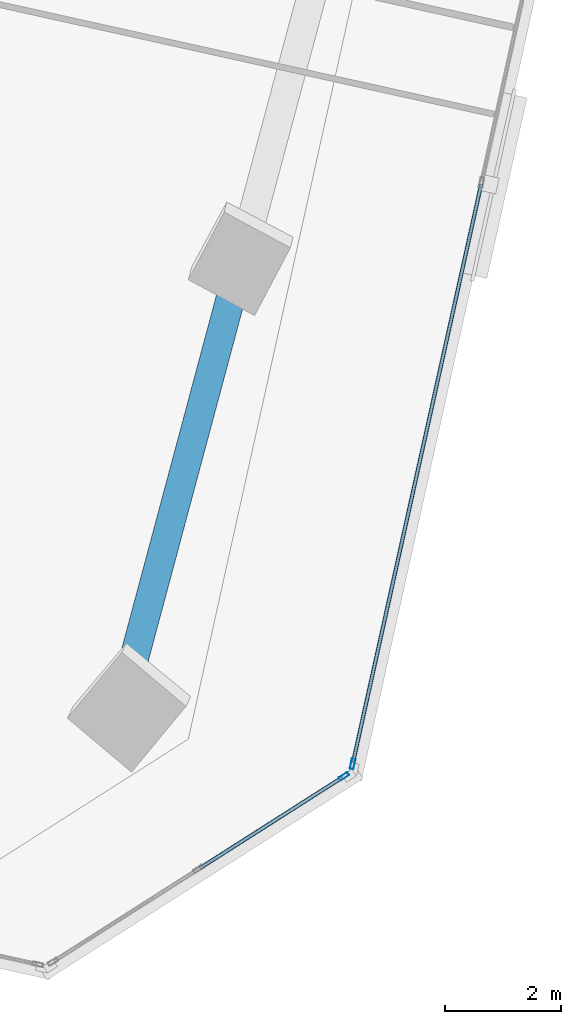
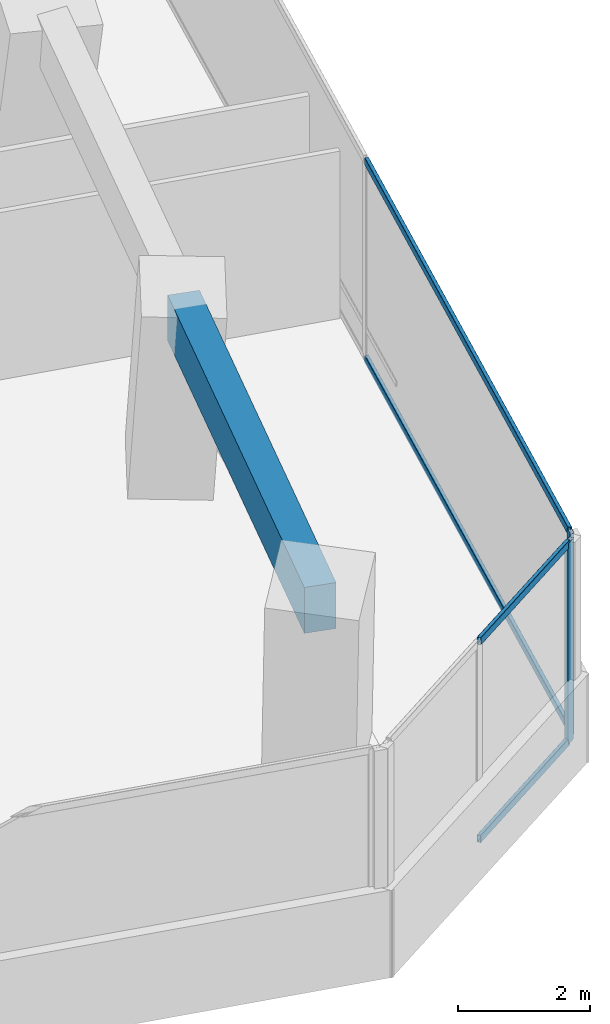
# One storey, part 10 of 26: 6 members, 1 beam, 2 elements without a shape of their own.
"""IFC4 building model written with IfcOpenShell, lengths in metres."""

from ifc_helpers import new_model, si_unit, direction, frame, origin, origin_2d, place, context, subcontext, project, spatial, rectangle, hollow_rectangle, extrude, source, transform, mapped, material, material_profile, profile_set, type_object, element, aggregate, save


model = new_model("IFC4")

# Units and contexts
model_context = context("Model", 3, precision=1e-05, world=origin(), true_north=direction((0.0, 1.0)))
body_context = subcontext(model_context, "Body", "Model", "MODEL_VIEW")
ifc_project = project(units=[si_unit("LENGTHUNIT", "METRE"), si_unit("AREAUNIT", "SQUARE_METRE"), si_unit("VOLUMEUNIT", "CUBIC_METRE"), si_unit("PLANEANGLEUNIT", "RADIAN"), si_unit("MASSUNIT", "GRAM", prefix="KILO")], contexts=[model_context])

# Site, building, storey
site_placement = place(None, origin())
site = spatial("IfcSite", under=ifc_project, at=site_placement, CompositionType="ELEMENT")
building_placement = place(site_placement, origin())
building = spatial("IfcBuilding", under=site, at=building_placement, Name="Torre Montelarca", CompositionType="ELEMENT")
storey_placement = place(building_placement, frame((0.0, 0.0, 95.800048828125)))
storey = spatial("IfcBuildingStorey", under=building, at=storey_placement, Name="L21", CompositionType="ELEMENT", Elevation=95.800048828125)

# Beam
ifc_material_1 = material(Name="Concrete C55/67", Category="concrete")
ifc_material_profile_1 = material_profile(ifc_material_1, rectangle(XDim=0.5, YDim=0.85009765625, at=origin_2d()), Name="RCB500X850", Category="concrete")
ifc_profile_set_1 = profile_set([ifc_material_profile_1], Name="Concrete C55/67")
beam_type = type_object("IfcBeamType", Name="BM-SP-RC850-EXT", PredefinedType="SPANDREL", material=ifc_profile_set_1)
shared_shape_1 = source(origin(), body_context, "Body", "SweptSolid", [
    extrude(rectangle(XDim=0.5, YDim=0.85009765625, at=origin_2d()), origin(), (0.0, 0.0, 1.0), 7.999755859375),
])
beam_placement = place(storey_placement, frame((56.61767578125, 14.30810546875, 3.534912109375), z_axis=(0.258794560614, 0.965932386555, 0.0), x_axis=(-0.965932386555, 0.258794560614, 0.0)))
element("IfcBeam", 1, at=beam_placement, inside=storey, type_object=beam_type, Name="L21 Grid Girder Y 24.0-32.0 at X=60.0", PredefinedType="SPANDREL", context=body_context, shape_type="MappedRepresentation", body=[
    mapped(shared_shape_1, transform((0.0, 0.0, 0.0), scale=1.0)),
])

# Curtain wall, members
ifc_material_2 = material(Name="Insulated low-E laminated glass", Category="glass")
curtain_wall_type = type_object("IfcCurtainWallType", Name="CW-SYS-Z1", PredefinedType="USERDEFINED", material=ifc_material_2)
curtain_wall_1_placement = place(storey_placement, origin())
curtain_wall_1 = element("IfcCurtainWall", 2, at=curtain_wall_1_placement, inside=storey, type_object=curtain_wall_type, Name="L21 Curtain Wall Run CW-T3-L21-E05-B1", ObjectType="UNITISED GLAZING", PredefinedType="USERDEFINED")
ifc_material_3 = material(Name="Anodised aluminium AA 6063-T6", Category="aluminium")
ifc_material_profile_2 = material_profile(ifc_material_3, hollow_rectangle(XDim=0.06494140625, YDim=0.139892578125, WallThickness=0.00390625, InnerFilletRadius=0.00390625, OuterFilletRadius=0.008056640625, at=origin_2d()), Name="ALU65X140X4", Category="aluminium")
ifc_profile_set_2 = profile_set([ifc_material_profile_2], Name="Anodised aluminium AA 6063-T6")
member_type_1 = type_object("IfcMemberType", Name="CWT-ALU140", PredefinedType="USERDEFINED", material=ifc_profile_set_2)
shared_shape_2 = source(origin(), body_context, "Body", "SweptSolid", [
    extrude(hollow_rectangle(XDim=0.06494140625, YDim=0.139892578125, WallThickness=0.00390625, InnerFilletRadius=0.00390625, OuterFilletRadius=0.008056640625, at=origin_2d()), origin(), (0.0, 0.0, 1.0), 2.918701171875),
])
member_1_placement = place(storey_placement, frame((58.156005859375, 12.160888671875, 0.032470703125), z_axis=(0.843413408768, 0.537265131857, 0.0), x_axis=(-0.537265131857, 0.843413408768, 0.0)))
member_1 = element("IfcMember", 3, at=member_1_placement, type_object=member_type_1, Name="CW transom 2.1", ObjectType="TRANSOM", PredefinedType="USERDEFINED", context=body_context, shape_type="MappedRepresentation", body=[
    mapped(shared_shape_2, transform((0.0, 0.0, 0.0), scale=1.0)),
])
member_2_placement = place(storey_placement, frame((58.156005859375, 12.160888671875, 3.6875), z_axis=(0.843413408768, 0.537265131857, 0.0), x_axis=(-0.537265131857, 0.843413408768, 0.0)))
member_2 = element("IfcMember", 4, at=member_2_placement, type_object=member_type_1, Name="CW transom 2.2", ObjectType="TRANSOM", PredefinedType="USERDEFINED", context=body_context, shape_type="MappedRepresentation", body=[
    mapped(shared_shape_2, transform((0.0, 0.0, 0.0), scale=1.0)),
])

curtain_wall_2_placement = place(storey_placement, origin())
curtain_wall_2 = element("IfcCurtainWall", 5, at=curtain_wall_2_placement, inside=storey, type_object=curtain_wall_type, Name="L21 Curtain Wall Run CW-T3-L21-E06-B1", ObjectType="UNITISED GLAZING", PredefinedType="USERDEFINED")
shared_shape_3 = source(origin(), body_context, "Body", "SweptSolid", [
    extrude(hollow_rectangle(XDim=0.06494140625, YDim=0.139892578125, WallThickness=0.00390625, InnerFilletRadius=0.00390625, OuterFilletRadius=0.008056640625, at=origin_2d()), origin(), (0.0, 0.0, 1.0), 10.23681640625),
])
member_3_placement = place(storey_placement, frame((60.80517578125, 13.996826171875, 0.032470703125), z_axis=(0.216432960018, 0.976297482235, 0.0), x_axis=(-0.976297482235, 0.216432960018, 0.0)))
member_3 = element("IfcMember", 6, at=member_3_placement, type_object=member_type_1, Name="CW transom 1.1", ObjectType="TRANSOM", PredefinedType="USERDEFINED", context=body_context, shape_type="MappedRepresentation", body=[
    mapped(shared_shape_3, transform((0.0, 0.0, 0.0), scale=1.0)),
])
member_4_placement = place(storey_placement, frame((60.80517578125, 13.996826171875, 3.6875), z_axis=(0.216432960018, 0.976297482235, 0.0), x_axis=(-0.976297482235, 0.216432960018, 0.0)))
member_4 = element("IfcMember", 7, at=member_4_placement, type_object=member_type_1, Name="CW transom 1.2", ObjectType="TRANSOM", PredefinedType="USERDEFINED", context=body_context, shape_type="MappedRepresentation", body=[
    mapped(shared_shape_3, transform((0.0, 0.0, 0.0), scale=1.0)),
])

# Member
ifc_material_profile_3 = material_profile(ifc_material_3, hollow_rectangle(XDim=0.06494140625, YDim=0.179931640625, WallThickness=0.00390625, InnerFilletRadius=0.00390625, OuterFilletRadius=0.008056640625, at=origin_2d()), Name="ALU65X180X4", Category="aluminium")
ifc_profile_set_3 = profile_set([ifc_material_profile_3], Name="Anodised aluminium AA 6063-T6")
member_type_2 = type_object("IfcMemberType", Name="CWM-ALU180", PredefinedType="MULLION", material=ifc_profile_set_3)
shared_shape_4 = source(origin(), body_context, "Body", "SweptSolid", [
    extrude(hollow_rectangle(XDim=0.06494140625, YDim=0.179931640625, WallThickness=0.00390625, InnerFilletRadius=0.00390625, OuterFilletRadius=0.008056640625, at=origin_2d()), origin(), (0.0, 0.0, 1.0), 3.719970703125),
])
member_5_placement = place(storey_placement, frame((60.64501953125, 13.74658203125, 0.0), z_axis=(0.0, 0.0, 1.0), x_axis=(-0.537304483117, 0.843388340222, 0.0)))
member_5 = element("IfcMember", 8, at=member_5_placement, type_object=member_type_2, Name="CW mullion 3", PredefinedType="MULLION", context=body_context, shape_type="MappedRepresentation", body=[
    mapped(shared_shape_4, transform((0.0, 0.0, 0.0), scale=1.0)),
])

aggregate(curtain_wall_1, [member_5, member_1, member_2])

member_6_placement = place(storey_placement, frame((60.798095703125, 13.965087890625, 0.0), z_axis=(0.0, 0.0, 1.0), x_axis=(-0.976295656956, 0.216441193422, 0.0)))
member_6 = element("IfcMember", 9, at=member_6_placement, type_object=member_type_2, Name="CW mullion 1", PredefinedType="MULLION", context=body_context, shape_type="MappedRepresentation", body=[
    mapped(shared_shape_4, transform((0.0, 0.0, 0.0), scale=1.0)),
])

aggregate(curtain_wall_2, [member_6, member_3, member_4])

save(model, "model.ifc")
